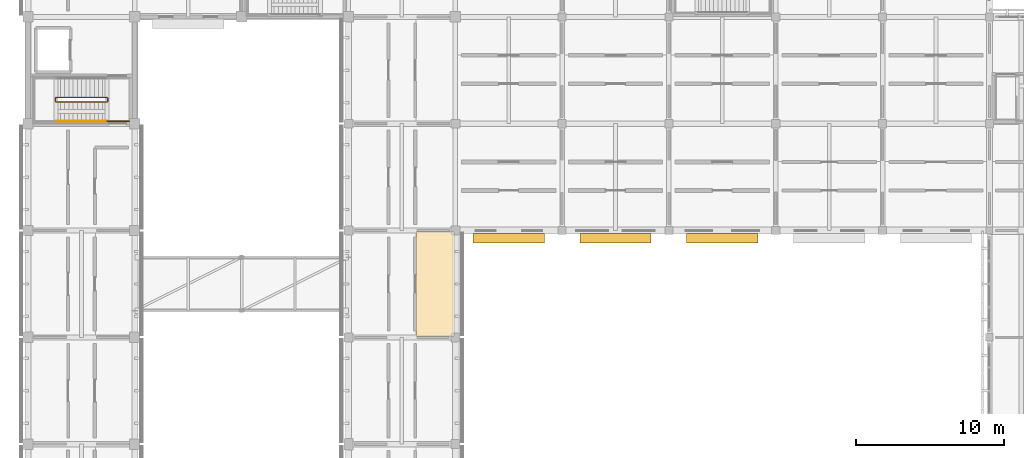
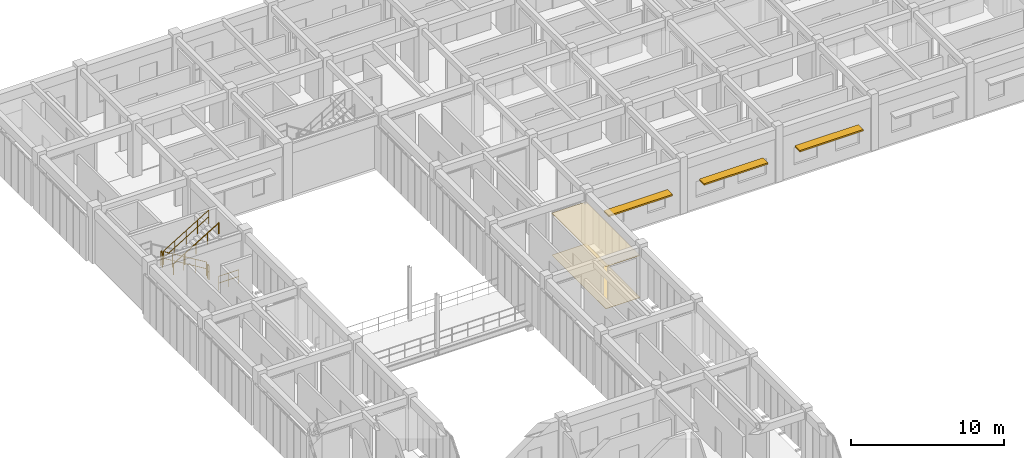
# One storey, part 149 of 171: 6 railings, 3 shading devices, 2 coverings.
"""IFC4 building model written with IfcOpenShell, lengths in metres."""

from ifc_helpers import new_model, si_unit, direction, frame, origin, origin_2d, place, context, subcontext, project, spatial, polyline, rectangle, circle, outline, extrude, material, layer, layer_set, type_object, element, save


model = new_model("IFC4")

# Units and contexts
model_context = context("Model", 3, precision=1e-05, world=origin(), true_north=direction((0.0, 1.0)))
body_context = subcontext(model_context, "Body", "Model", "MODEL_VIEW")
ifc_project = project(units=[si_unit("LENGTHUNIT", "METRE"), si_unit("AREAUNIT", "SQUARE_METRE"), si_unit("VOLUMEUNIT", "CUBIC_METRE"), si_unit("PLANEANGLEUNIT", "RADIAN"), si_unit("MASSUNIT", "GRAM", prefix="KILO")], contexts=[model_context])

# Site, building, storey
site_placement = place(None, origin())
site = spatial("IfcSite", under=ifc_project, at=site_placement, CompositionType="ELEMENT")
building_placement = place(site_placement, origin())
building = spatial("IfcBuilding", under=site, at=building_placement, Name="Aldebral Square Health Centre", CompositionType="ELEMENT")
storey_placement = place(building_placement, frame((0.0, 0.0, 4.5)))
storey = spatial("IfcBuildingStorey", under=building, at=storey_placement, Name="L01", CompositionType="ELEMENT", Elevation=4.5)

# Coverings
ifc_material_1 = material(Name="Hygienic acoustic mineral ceiling tile")
ifc_layer_1 = layer(ifc_material_1, 0.02001953125, Name="Hygienic acoustic mineral ceiling tile")
ifc_layer_set_1 = layer_set([ifc_layer_1], Name="Hygienic acoustic mineral ceiling tile")
covering_type_1 = type_object("IfcCoveringType", Name="COV-CLG-AC", PredefinedType="CEILING", material=ifc_layer_set_1)
covering_1_placement = place(storey_placement, frame((0.0, 0.0, 3.340087890625)))
element("IfcCovering", 1, at=covering_1_placement, inside=storey, type_object=covering_type_1, Name="L01 Accessible WC 4.12E acoustic ceiling", PredefinedType="CEILING", context=body_context, shape_type="SweptSolid", body=[
    extrude(outline(polyline([(26.139892578125, 79.260009765625), (28.739990234375, 79.260009765625), (28.739990234375, 86.340087890625), (26.139892578125, 86.340087890625), (26.139892578125, 79.260009765625)])), origin(), (0.0, 0.0, 1.0), 0.02001953125),
])
ifc_material_2 = material(Name="Antimicrobial clinical vinyl flooring")
ifc_layer_2 = layer(ifc_material_2, 0.014892578125, Name="Antimicrobial clinical vinyl flooring")
ifc_layer_set_2 = layer_set([ifc_layer_2], Name="Antimicrobial clinical vinyl flooring")
covering_type_2 = type_object("IfcCoveringType", Name="COV-FLR-VN", PredefinedType="FLOORING", material=ifc_layer_set_2)
covering_2_placement = place(storey_placement, origin())
element("IfcCovering", 2, at=covering_2_placement, inside=storey, type_object=covering_type_2, Name="L01 Accessible WC 4.12E clinical flooring", PredefinedType="FLOORING", context=body_context, shape_type="SweptSolid", body=[
    extrude(outline(polyline([(26.139892578125, 79.260009765625), (28.739990234375, 79.260009765625), (28.739990234375, 86.340087890625), (26.139892578125, 86.340087890625), (26.139892578125, 79.260009765625)])), origin(), (0.0, 0.0, 1.0), 0.014892578125),
])

# Railings
ifc_material_3 = material(Name="Painted steel S355JR stair guard", Category="steel")
railing_type_1 = type_object("IfcRailingType", Name="RL-ST-GRD", PredefinedType="GUARDRAIL", material=ifc_material_3)
railing_1_placement = place(storey_placement, frame((5.320068359375, 95.3701171875, 0.173095703125)))
element("IfcRailing", 3, at=railing_1_placement, inside=storey, type_object=railing_type_1, Name="L01 ST-01 stair guard 1", PredefinedType="GUARDRAIL", context=body_context, shape_type="SweptSolid", body=[
    extrude(circle(Radius=0.02392578125, at=origin_2d()), frame((0.0, 0.0, 1.09619140625), z_axis=(-0.854745945586, 0.0, 0.519046595696), x_axis=(0.0, -1.0, 0.0)), (0.0, 0.0, 1.0), 4.00146484375),
    extrude(circle(Radius=0.02392578125, at=origin_2d()), frame((0.0, 0.0, 0.56005859375), z_axis=(-0.854745945586, 0.0, 0.519046595696), x_axis=(0.0, -1.0, 0.0)), (0.0, 0.0, 1.0), 4.00146484375),
    extrude(circle(Radius=0.02099609375, at=origin_2d()), origin(), (0.0, 0.0, 1.0), 1.072021484375),
    extrude(circle(Radius=0.02099609375, at=origin_2d()), frame((-0.85498046875, 0.0, 0.519287109375)), (0.0, 0.0, 1.0), 1.072021484375),
    extrude(circle(Radius=0.02099609375, at=origin_2d()), frame((-1.7099609375, 0.0, 1.03857421875)), (0.0, 0.0, 1.0), 1.072021484375),
    extrude(circle(Radius=0.02099609375, at=origin_2d()), frame((-2.565185546875, 0.0, 1.5576171875)), (0.0, 0.0, 1.0), 1.072021484375),
    extrude(circle(Radius=0.02099609375, at=origin_2d()), frame((-3.420166015625, 0.0, 2.076904296875)), (0.0, 0.0, 1.0), 1.072021484375),
])
railing_2_placement = place(storey_placement, frame((1.85009765625, 95.320068359375, 2.25)))
element("IfcRailing", 4, at=railing_2_placement, inside=storey, type_object=railing_type_1, Name="L01 ST-01 stair guard 2", PredefinedType="GUARDRAIL", context=body_context, shape_type="SweptSolid", body=[
    extrude(circle(Radius=0.02392578125, at=origin_2d()), frame((0.0, 0.0, 1.09619140625), z_axis=(0.0, -1.0, 0.0), x_axis=(1.0, 0.0, 0.0)), (0.0, 0.0, 1.0), 0.199951171875),
    extrude(circle(Radius=0.02392578125, at=origin_2d()), frame((0.0, 0.0, 0.56005859375), z_axis=(0.0, -1.0, 0.0), x_axis=(1.0, 0.0, 0.0)), (0.0, 0.0, 1.0), 0.199951171875),
    extrude(circle(Radius=0.02099609375, at=origin_2d()), origin(), (0.0, 0.0, 1.0), 1.072021484375),
    extrude(circle(Radius=0.02099609375, at=origin_2d()), frame((0.0, -0.199951171875, 0.0)), (0.0, 0.0, 1.0), 1.072021484375),
])
railing_3_placement = place(storey_placement, frame((1.89990234375, 95.070068359375, 2.423095703125)))
element("IfcRailing", 5, at=railing_3_placement, inside=storey, type_object=railing_type_1, Name="L01 ST-01 stair guard 6", PredefinedType="GUARDRAIL", context=body_context, shape_type="SweptSolid", body=[
    extrude(circle(Radius=0.02392578125, at=origin_2d()), frame((0.0, 0.0, 1.09619140625), z_axis=(0.854745945586, 0.0, 0.519046595696), x_axis=(0.0, 1.0, 0.0)), (0.0, 0.0, 1.0), 4.00146484375),
    extrude(circle(Radius=0.02392578125, at=origin_2d()), frame((0.0, 0.0, 0.56005859375), z_axis=(0.854745945586, 0.0, 0.519046595696), x_axis=(0.0, 1.0, 0.0)), (0.0, 0.0, 1.0), 4.00146484375),
    extrude(circle(Radius=0.02099609375, at=origin_2d()), origin(), (0.0, 0.0, 1.0), 1.072021484375),
    extrude(circle(Radius=0.02099609375, at=origin_2d()), frame((0.85498046875, 0.0, 0.519287109375)), (0.0, 0.0, 1.0), 1.072021484375),
    extrude(circle(Radius=0.02099609375, at=origin_2d()), frame((1.7099609375, 0.0, 1.03857421875)), (0.0, 0.0, 1.0), 1.072021484375),
    extrude(circle(Radius=0.02099609375, at=origin_2d()), frame((2.565185546875, 0.0, 1.5576171875)), (0.0, 0.0, 1.0), 1.072021484375),
    extrude(circle(Radius=0.02099609375, at=origin_2d()), frame((3.420166015625, 0.0, 2.076904296875)), (0.0, 0.0, 1.0), 1.072021484375),
])
railing_4_placement = place(storey_placement, frame((5.3701171875, 95.320068359375, 0.0)))
element("IfcRailing", 6, at=railing_4_placement, inside=storey, type_object=railing_type_1, Name="L01 ST-01 stair guard 7", PredefinedType="GUARDRAIL", context=body_context, shape_type="SweptSolid", body=[
    extrude(circle(Radius=0.02392578125, at=origin_2d()), frame((0.0, 0.0, 1.09619140625), z_axis=(0.0, -1.0, 0.0), x_axis=(1.0, 0.0, 0.0)), (0.0, 0.0, 1.0), 0.199951171875),
    extrude(circle(Radius=0.02392578125, at=origin_2d()), frame((0.0, 0.0, 0.56005859375), z_axis=(0.0, -1.0, 0.0), x_axis=(1.0, 0.0, 0.0)), (0.0, 0.0, 1.0), 0.199951171875),
    extrude(circle(Radius=0.02099609375, at=origin_2d()), origin(), (0.0, 0.0, 1.0), 1.072021484375),
    extrude(circle(Radius=0.02099609375, at=origin_2d()), frame((0.0, -0.199951171875, 0.0)), (0.0, 0.0, 1.0), 1.072021484375),
])
railing_5_placement = place(storey_placement, frame((6.820068359375, 93.77001953125, 0.0)))
element("IfcRailing", 7, at=railing_5_placement, inside=storey, type_object=railing_type_1, Name="L01 ST-01 stair guard 9", PredefinedType="GUARDRAIL", context=body_context, shape_type="SweptSolid", body=[
    extrude(circle(Radius=0.02392578125, at=origin_2d()), frame((0.0, 0.0, 1.09619140625), z_axis=(-1.0, 0.0, 0.0), x_axis=(0.0, -1.0, 0.0)), (0.0, 0.0, 1.0), 1.5),
    extrude(circle(Radius=0.02392578125, at=origin_2d()), frame((0.0, 0.0, 0.56005859375), z_axis=(-1.0, 0.0, 0.0), x_axis=(0.0, -1.0, 0.0)), (0.0, 0.0, 1.0), 1.5),
    extrude(circle(Radius=0.02099609375, at=origin_2d()), origin(), (0.0, 0.0, 1.0), 1.072021484375),
    extrude(circle(Radius=0.02099609375, at=origin_2d()), frame((-0.75, 0.0, 0.0)), (0.0, 0.0, 1.0), 1.072021484375),
    extrude(circle(Radius=0.02099609375, at=origin_2d()), frame((-1.5, 0.0, 0.0)), (0.0, 0.0, 1.0), 1.072021484375),
])
ifc_material_4 = material(Name="Brushed stainless steel handrail", Category="steel")
railing_type_2 = type_object("IfcRailingType", Name="RL-ST-HND", PredefinedType="HANDRAIL", material=ifc_material_4)
railing_6_placement = place(storey_placement, frame((1.89990234375, 93.77001953125, 2.423095703125)))
element("IfcRailing", 8, at=railing_6_placement, inside=storey, type_object=railing_type_2, Name="L01 ST-01 stair handrail 2", PredefinedType="HANDRAIL", context=body_context, shape_type="SweptSolid", body=[
    extrude(circle(Radius=0.02392578125, at=origin_2d()), frame((0.0, 0.0, 0.8759765625), z_axis=(0.854745945586, 0.0, 0.519046595696), x_axis=(0.0, 1.0, 0.0)), (0.0, 0.0, 1.0), 4.00146484375),
    extrude(circle(Radius=0.02099609375, at=origin_2d()), origin(), (0.0, 0.0, 1.0), 0.851806640625),
    extrude(circle(Radius=0.02099609375, at=origin_2d()), frame((0.85498046875, 0.0, 0.519287109375)), (0.0, 0.0, 1.0), 0.851806640625),
    extrude(circle(Radius=0.02099609375, at=origin_2d()), frame((1.7099609375, 0.0, 1.03857421875)), (0.0, 0.0, 1.0), 0.851806640625),
    extrude(circle(Radius=0.02099609375, at=origin_2d()), frame((2.565185546875, 0.0, 1.5576171875)), (0.0, 0.0, 1.0), 0.851806640625),
    extrude(circle(Radius=0.02099609375, at=origin_2d()), frame((3.420166015625, 0.0, 2.076904296875)), (0.0, 0.0, 1.0), 0.851806640625),
])

# Shading devices
ifc_material_5 = material(Name="Sienna-terracotta solar hood", Category="masonry")
shading_device_type = type_object("IfcShadingDeviceType", Name="SHD-LVR-1", PredefinedType="JALOUSIE", material=ifc_material_5)
for number, where, z_axis, x_axis, name in (
    (9, (32.39990234375, 85.885009765625, 2.169921875), (0.0, 0.0, 1.0), (1.0, 0.0, 0.0), "L01 solar hood L01-V2-04-12-S"),
    (10, (39.60009765625, 85.885009765625, 2.169921875), (0.0, 0.0, 1.0), (1.0, 0.0, 0.0), "L01 solar hood L01-V2-05-12-S"),
    (11, (46.800048828125, 85.885009765625, 2.300048828125), (0.0, 0.0, 1.0), (1.0, 0.0, 0.0), "L01 solar hood L01-V2-06-12-S"),
):
    element("IfcShadingDevice", number, at=place(storey_placement, frame(where, z_axis=z_axis, x_axis=x_axis)), inside=storey, type_object=shading_device_type, Name=name, PredefinedType="JALOUSIE", context=body_context, shape_type="SweptSolid", body=[
        extrude(rectangle(XDim=4.800048828125, YDim=0.64990234375, at=origin_2d()), origin(), (0.0, 0.0, 1.0), 0.1201171875),
    ])

save(model, "model.ifc")
